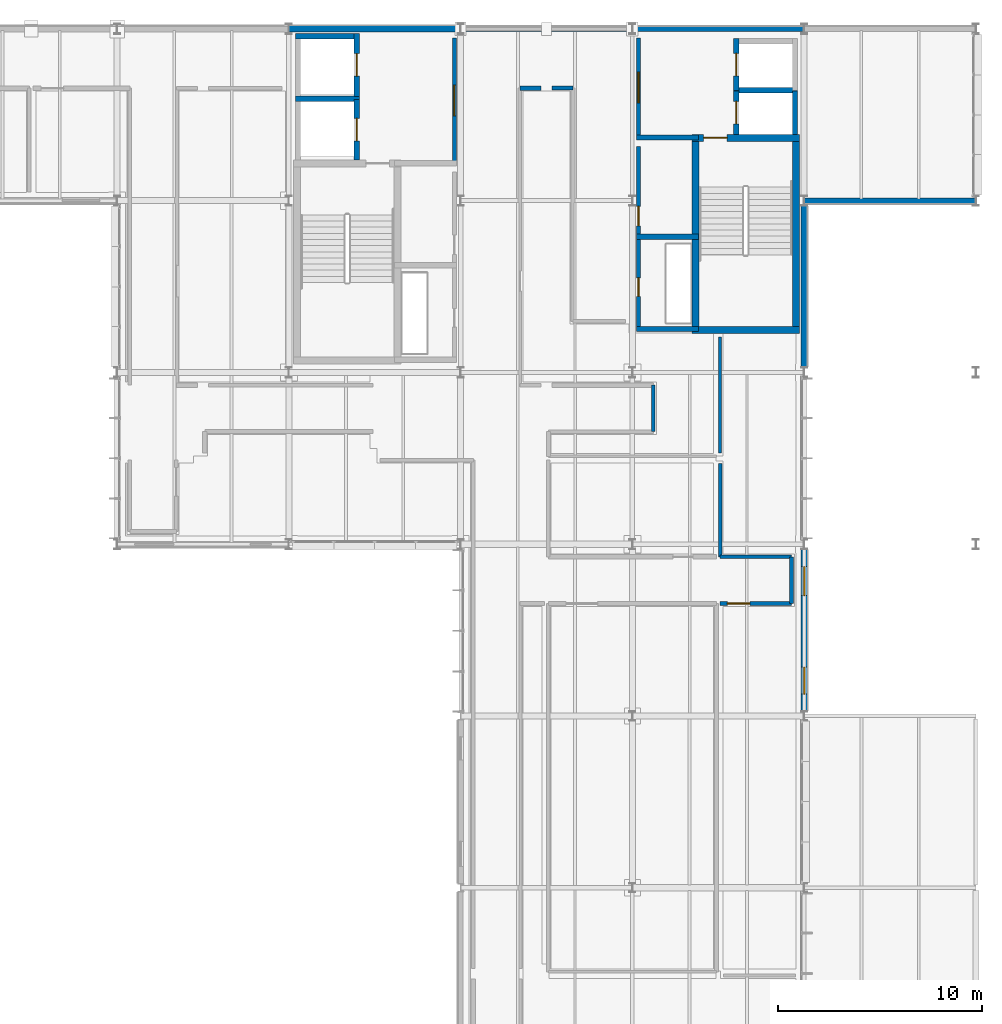
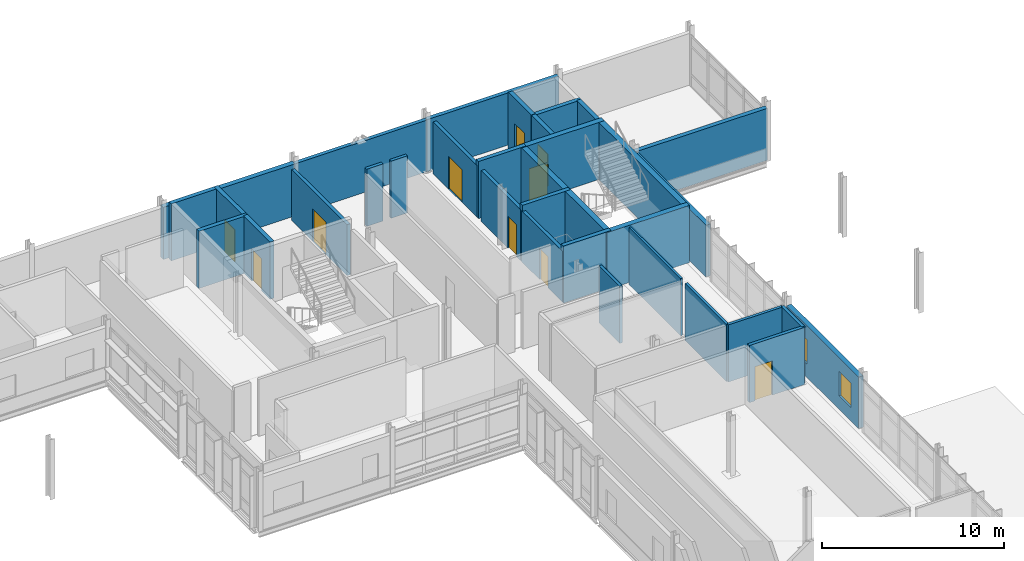
# One storey, part 131 of 151: 33 walls, 10 doors, 2 windows, 12 openings.
"""IFC4 building model written with IfcOpenShell, lengths in metres."""

from ifc_helpers import new_model, si_unit, direction, frame, frame_2d, origin, place, context, subcontext, project, spatial, rectangle, extrude, material, layer, layer_set, type_object, element, fill, save


model = new_model("IFC4")

# Units and contexts
model_context = context("Model", 3, precision=1e-05, world=origin(), true_north=direction((0.0, 1.0)))
body_context = subcontext(model_context, "Body", "Model", "MODEL_VIEW")
ifc_project = project(units=[si_unit("LENGTHUNIT", "METRE"), si_unit("AREAUNIT", "SQUARE_METRE"), si_unit("VOLUMEUNIT", "CUBIC_METRE"), si_unit("PLANEANGLEUNIT", "RADIAN"), si_unit("MASSUNIT", "GRAM", prefix="KILO")], contexts=[model_context])

# Site, building, storey
site_placement = place(None, origin())
site = spatial("IfcSite", under=ifc_project, at=site_placement, CompositionType="ELEMENT")
building_placement = place(site_placement, origin())
building = spatial("IfcBuilding", under=site, at=building_placement, Name="Mersafa Astral City Hall", CompositionType="ELEMENT")
storey_placement = place(building_placement, frame((0.0, 0.0, 9.89990234375)))
storey = spatial("IfcBuildingStorey", under=building, at=storey_placement, Name="L02", CompositionType="ELEMENT", Elevation=9.89990234375)

# Walls
ifc_material_1 = material(Name="Precast concrete C40/50 insulated terracotta spandrel", Category="masonry")
ifc_layer_1 = layer(ifc_material_1, 0.235107421875, Name="Precast concrete C40/50 insulated terracotta spandrel")
ifc_layer_set_1 = layer_set([ifc_layer_1], Name="Precast concrete C40/50 insulated terracotta spandrel — ENV-WAL-EXT-235")
wall_type_1 = type_object("IfcWallType", Name="ENV-WAL-EXT-235", PredefinedType="STANDARD", material=ifc_layer_set_1)
wall_1_placement = place(storey_placement, frame((167.991943359375, 126.0, 0.0), z_axis=(0.0, 0.0, 1.0), x_axis=(-1.0, 0.0, 0.0)))
element("IfcWall", 1, at=wall_1_placement, inside=storey, type_object=wall_type_1, Name="L02 Limestone-clad exterior wall 191", PredefinedType="STANDARD", context=body_context, shape_type="SweptSolid", body=[
    extrude(rectangle(XDim=8.384033203125, YDim=0.235107421875, at=frame_2d((4.19189453125, 0.0))), origin(), (0.0, 0.0, 1.0), 3.47216796875),
])
ifc_layer_2 = layer(ifc_material_1, 0.25, Name="Precast concrete C40/50 insulated terracotta spandrel")
ifc_layer_set_2 = layer_set([ifc_layer_2], Name="Precast concrete C40/50 insulated terracotta spandrel — ENV-WAL-EXT-250")
wall_type_2 = type_object("IfcWallType", Name="ENV-WAL-EXT-250", PredefinedType="STANDARD", material=ifc_layer_set_2)
wall_2_placement = place(storey_placement, frame((176.39208984375, 126.0, 0.0), z_axis=(0.0, 0.0, 1.0), x_axis=(-1.0, 0.0, 0.0)))
element("IfcWall", 2, at=wall_2_placement, inside=storey, type_object=wall_type_2, Name="L02 Limestone-clad exterior wall 190", PredefinedType="STANDARD", context=body_context, shape_type="SweptSolid", body=[
    extrude(rectangle(XDim=8.384033203125, YDim=0.25, at=frame_2d((4.19189453125, 0.0))), origin(), (0.0, 0.0, 1.0), 3.502197265625),
])
ifc_material_2 = material(Name="Precast concrete C40/50 insulated limestone wall", Category="masonry")
ifc_layer_3 = layer(ifc_material_2, 0.280029296875, Name="Precast concrete C40/50 insulated limestone wall")
ifc_layer_set_3 = layer_set([ifc_layer_3], Name="Precast concrete C40/50 insulated limestone wall — ENV-WAL-EXT-280")
wall_type_3 = type_object("IfcWallType", Name="ENV-WAL-EXT-280", PredefinedType="STANDARD", material=ifc_layer_set_3)
wall_3_placement = place(storey_placement, frame((176.407958984375, 117.60009765625, 0.0), z_axis=(0.0, 0.0, 1.0), x_axis=(1.0, 0.0, 0.0)))
element("IfcWall", 3, at=wall_3_placement, inside=storey, type_object=wall_type_3, Name="L02 Limestone-clad exterior wall 188", PredefinedType="STANDARD", context=body_context, shape_type="SweptSolid", body=[
    extrude(rectangle(XDim=8.384033203125, YDim=0.280029296875, at=frame_2d((4.19189453125, 0.0))), origin(), (0.0, 0.0, 1.0), 3.502197265625),
])
ifc_layer_4 = layer(ifc_material_2, 0.294921875, Name="Precast concrete C40/50 insulated limestone wall")
ifc_layer_set_4 = layer_set([ifc_layer_4], Name="Precast concrete C40/50 insulated limestone wall — ENV-WAL-EXT-295")
wall_type_4 = type_object("IfcWallType", Name="ENV-WAL-EXT-295", PredefinedType="STANDARD", material=ifc_layer_set_4)
wall_4_placement = place(storey_placement, frame((176.39990234375, 109.446044921875, 0.0), z_axis=(0.0, 0.0, 1.0), x_axis=(0.0, 1.0, 0.0)))
element("IfcWall", 4, at=wall_4_placement, inside=storey, type_object=wall_type_4, Name="L02 Limestone-clad exterior wall 187", PredefinedType="STANDARD", context=body_context, shape_type="SweptSolid", body=[
    extrude(rectangle(XDim=7.907958984375, YDim=0.294921875, at=frame_2d((3.9541015625, 0.0))), origin(), (0.0, 0.0, 1.0), 3.47216796875),
])

# Wall, openings, windows
ifc_layer_5 = layer(ifc_material_2, 0.31005859375, Name="Precast concrete C40/50 insulated limestone wall")
ifc_layer_set_5 = layer_set([ifc_layer_5], Name="Precast concrete C40/50 insulated limestone wall — ENV-WAL-EXT-310")
wall_type_5 = type_object("IfcWallType", Name="ENV-WAL-EXT-310", PredefinedType="STANDARD", material=ifc_layer_set_5)
wall_5_placement = place(storey_placement, frame((176.39990234375, 92.62109375, 0.0), z_axis=(0.0, 0.0, 1.0), x_axis=(0.0, 1.0, 0.0)))
wall_5 = element("IfcWall", 5, at=wall_5_placement, inside=storey, type_object=wall_type_5, Name="L02 Limestone-clad exterior wall 186", PredefinedType="STANDARD", context=body_context, shape_type="SweptSolid", body=[
    extrude(rectangle(XDim=7.932861328125, YDim=0.31005859375, at=frame_2d((3.96630859375, 0.0))), origin(), (0.0, 0.0, 1.0), 3.47216796875),
])
opening_1_placement = place(wall_5_placement, frame((0.85009765625, 0.0, 0.89990234375)))
opening_1 = element("IfcOpeningElement", 6, at=opening_1_placement, cuts=wall_5, Name="Opening W-34", PredefinedType="OPENING", context=body_context, shape_type="SweptSolid", body=[
    extrude(rectangle(XDim=1.320068359375, YDim=1.64990234375, at=frame_2d((0.66015625, 0.824951171875))), frame((0.0, 0.1650390625, 0.0), z_axis=(0.0, -1.0, 0.0), x_axis=(1.0, 0.0, 0.0)), (0.0, 0.0, 1.0), 0.330078125),
])
opening_2_placement = place(wall_5_placement, frame((5.6630859375, 0.0, 0.89990234375)))
opening_2 = element("IfcOpeningElement", 7, at=opening_2_placement, cuts=wall_5, Name="Opening W-35", PredefinedType="OPENING", context=body_context, shape_type="SweptSolid", body=[
    extrude(rectangle(XDim=1.419921875, YDim=1.64990234375, at=frame_2d((0.7099609375, 0.824951171875))), frame((0.0, 0.1650390625, 0.0), z_axis=(0.0, -1.0, 0.0), x_axis=(1.0, 0.0, 0.0)), (0.0, 0.0, 1.0), 0.330078125),
])
ifc_material_3 = material(Name="Solar control low-e double glazing in bronze frame", Category="glass")
window_type_1 = type_object("IfcWindowType", Name="ENV-WIN-W-34", PartitioningType="SINGLE_PANEL", PredefinedType="WINDOW", material=ifc_material_3)
window_1_placement = place(opening_1_placement, origin())
window_1 = element("IfcWindow", 8, at=window_1_placement, inside=storey, type_object=window_type_1, Name="L02 Solar punched window 186-L", OverallHeight=1.64990234375, OverallWidth=1.320068359375, PartitioningType="SINGLE_PANEL", PredefinedType="WINDOW", context=body_context, shape_type="SweptSolid", body=[
    extrude(rectangle(XDim=1.320068359375, YDim=1.64990234375, at=frame_2d((0.66015625, 0.824951171875))), frame((0.0, 0.030029296875, 0.0), z_axis=(0.0, -1.0, 0.0), x_axis=(1.0, 0.0, 0.0)), (0.0, 0.0, 1.0), 0.06005859375),
])
fill(opening_1, window_1)
window_type_2 = type_object("IfcWindowType", Name="ENV-WIN-W-35", PartitioningType="SINGLE_PANEL", PredefinedType="WINDOW", material=ifc_material_3)
window_2_placement = place(opening_2_placement, origin())
window_2 = element("IfcWindow", 9, at=window_2_placement, inside=storey, type_object=window_type_2, Name="L02 Solar punched window 186-R", OverallHeight=1.64990234375, OverallWidth=1.419921875, PartitioningType="SINGLE_PANEL", PredefinedType="WINDOW", context=body_context, shape_type="SweptSolid", body=[
    extrude(rectangle(XDim=1.419921875, YDim=1.64990234375, at=frame_2d((0.7099609375, 0.824951171875))), frame((0.0, 0.030029296875, 0.0), z_axis=(0.0, -1.0, 0.0), x_axis=(1.0, 0.0, 0.0)), (0.0, 0.0, 1.0), 0.06005859375),
])
fill(opening_2, window_2)

# Walls
wall_6_placement = place(storey_placement, frame((159.592041015625, 126.0, 0.0), z_axis=(0.0, 0.0, 1.0), x_axis=(-1.0, 0.0, 0.0)))
element("IfcWall", 10, at=wall_6_placement, inside=storey, type_object=wall_type_5, Name="L02 Limestone-clad exterior wall 192", PredefinedType="STANDARD", context=body_context, shape_type="SweptSolid", body=[
    extrude(rectangle(XDim=8.384033203125, YDim=0.31005859375, at=frame_2d((4.19189453125, 0.0))), origin(), (0.0, 0.0, 1.0), 3.502197265625),
])
ifc_material_4 = material(Name="Concrete C40/50", Category="concrete")
ifc_layer_6 = layer(ifc_material_4, 0.260009765625, Name="Concrete C40/50")
ifc_layer_set_6 = layer_set([ifc_layer_6], Name="Concrete C40/50 — INT-WAL-CORE-260")
wall_type_6 = type_object("IfcWallType", Name="INT-WAL-CORE-260", PredefinedType="SHEAR", material=ifc_layer_set_6)
wall_7_placement = place(storey_placement, frame((151.514892578125, 122.5849609375, 0.0), z_axis=(0.0, 0.0, 1.0), x_axis=(1.0, 0.0, 0.0)))
element("IfcWall", 11, at=wall_7_placement, inside=storey, type_object=wall_type_6, Name="L02 Lift LF1 north shaft wall", PredefinedType="SHEAR", context=body_context, shape_type="SweptSolid", body=[
    extrude(rectangle(XDim=3.130126953125, YDim=0.260009765625, at=frame_2d((1.56494140625, 0.0))), origin(), (0.0, 0.0, 1.0), 3.840087890625),
])

# Wall, opening, door
wall_8_placement = place(storey_placement, frame((154.514892578125, 119.596923828125, 0.0), z_axis=(0.0, 0.0, 1.0), x_axis=(0.0, 1.0, 0.0)))
wall_8 = element("IfcWall", 12, at=wall_8_placement, inside=storey, type_object=wall_type_6, Name="L02 Lift LF1 front shaft wall", PredefinedType="SHEAR", context=body_context, shape_type="SweptSolid", body=[
    extrude(rectangle(XDim=2.947998046875, YDim=0.260009765625, at=frame_2d((1.47412109375, 0.0))), origin(), (0.0, 0.0, 1.0), 3.840087890625),
])
opening_3_placement = place(wall_8_placement, frame((0.924072265625, 0.0, 0.0)))
opening_3 = element("IfcOpeningElement", 13, at=opening_3_placement, cuts=wall_8, Name="Opening LD-1", PredefinedType="OPENING", context=body_context, shape_type="SweptSolid", body=[
    extrude(rectangle(XDim=1.10009765625, YDim=2.14990234375, at=frame_2d((0.550048828125, 1.074951171875))), frame((0.0, 0.139892578125, 0.0), z_axis=(0.0, -1.0, 0.0), x_axis=(1.0, 0.0, 0.0)), (0.0, 0.0, 1.0), 0.280029296875),
])
ifc_material_5 = material(Name="Stainless steel sliding lift landing door", Category="steel")
door_type_1 = type_object("IfcDoorType", Name="INT-DR-LIFT-LD1", OperationType="NOTDEFINED", PredefinedType="DOOR", material=ifc_material_5)
door_1_placement = place(opening_3_placement, origin())
door_1 = element("IfcDoor", 14, at=door_1_placement, inside=storey, type_object=door_type_1, Name="Elevator LF1 Sliding Landing Door L02", OperationType="DOUBLE_DOOR_SLIDING", OverallHeight=2.14990234375, OverallWidth=1.10009765625, PredefinedType="DOOR", context=body_context, shape_type="SweptSolid", body=[
    extrude(rectangle(XDim=1.10009765625, YDim=2.14990234375, at=frame_2d((0.550048828125, 1.074951171875))), frame((0.0, 0.02490234375, 0.0), z_axis=(0.0, -1.0, 0.0), x_axis=(1.0, 0.0, 0.0)), (0.0, 0.0, 1.0), 0.050048828125),
])
fill(opening_3, door_1)

# Wall
wall_9_placement = place(storey_placement, frame((151.514892578125, 125.635009765625, 0.0), z_axis=(0.0, 0.0, 1.0), x_axis=(1.0, 0.0, 0.0)))
element("IfcWall", 15, at=wall_9_placement, inside=storey, type_object=wall_type_6, Name="L02 Lift LF3 north shaft wall", PredefinedType="SHEAR", context=body_context, shape_type="SweptSolid", body=[
    extrude(rectangle(XDim=3.130126953125, YDim=0.260009765625, at=frame_2d((1.56494140625, 0.0))), origin(), (0.0, 0.0, 1.0), 3.840087890625),
])

# Wall, opening, door
wall_10_placement = place(storey_placement, frame((154.514892578125, 122.705078125, 0.0), z_axis=(0.0, 0.0, 1.0), x_axis=(0.0, 1.0, 0.0)))
wall_10 = element("IfcWall", 16, at=wall_10_placement, inside=storey, type_object=wall_type_6, Name="L02 Lift LF3 front shaft wall", PredefinedType="SHEAR", context=body_context, shape_type="SweptSolid", body=[
    extrude(rectangle(XDim=3.059814453125, YDim=0.260009765625, at=frame_2d((1.52978515625, 0.0))), origin(), (0.0, 0.0, 1.0), 3.840087890625),
])
opening_4_placement = place(wall_10_placement, frame((0.97998046875, 0.0, 0.0)))
opening_4 = element("IfcOpeningElement", 17, at=opening_4_placement, cuts=wall_10, Name="Opening LD-1", PredefinedType="OPENING", context=body_context, shape_type="SweptSolid", body=[
    extrude(rectangle(XDim=1.10009765625, YDim=2.14990234375, at=frame_2d((0.550048828125, 1.074951171875))), frame((0.0, 0.139892578125, 0.0), z_axis=(0.0, -1.0, 0.0), x_axis=(1.0, 0.0, 0.0)), (0.0, 0.0, 1.0), 0.280029296875),
])
door_2_placement = place(opening_4_placement, origin())
door_2 = element("IfcDoor", 18, at=door_2_placement, inside=storey, type_object=door_type_1, Name="Elevator LF3 Sliding Landing Door L02", OperationType="DOUBLE_DOOR_SLIDING", OverallHeight=2.14990234375, OverallWidth=1.10009765625, PredefinedType="DOOR", context=body_context, shape_type="SweptSolid", body=[
    extrude(rectangle(XDim=1.10009765625, YDim=2.14990234375, at=frame_2d((0.550048828125, 1.074951171875))), frame((0.0, 0.02490234375, 0.0), z_axis=(0.0, -1.0, 0.0), x_axis=(1.0, 0.0, 0.0)), (0.0, 0.0, 1.0), 0.050048828125),
])
fill(opening_4, door_2)

# Walls
wall_11_placement = place(storey_placement, frame((172.955078125, 122.9951171875, 0.0), z_axis=(0.0, 0.0, 1.0), x_axis=(1.0, 0.0, 0.0)))
element("IfcWall", 19, at=wall_11_placement, inside=storey, type_object=wall_type_6, Name="L02 Lift LF2 north shaft wall", PredefinedType="SHEAR", context=body_context, shape_type="SweptSolid", body=[
    extrude(rectangle(XDim=3.1298828125, YDim=0.260009765625, at=frame_2d((1.56494140625, 0.0))), origin(), (0.0, 0.0, 1.0), 3.840087890625),
])
wall_12_placement = place(storey_placement, frame((175.955078125, 120.846923828125, 0.0), z_axis=(0.0, 0.0, 1.0), x_axis=(0.0, 1.0, 0.0)))
element("IfcWall", 20, at=wall_12_placement, inside=storey, type_object=wall_type_6, Name="L02 Lift LF2 back shaft wall", PredefinedType="SHEAR", context=body_context, shape_type="SweptSolid", body=[
    extrude(rectangle(XDim=2.108154296875, YDim=0.260009765625, at=frame_2d((1.05419921875, 0.0))), origin(), (0.0, 0.0, 1.0), 3.840087890625),
])

# Wall, opening, door
wall_13_placement = place(storey_placement, frame((173.0849609375, 120.846923828125, 0.0), z_axis=(0.0, 0.0, 1.0), x_axis=(0.0, 1.0, 0.0)))
wall_13 = element("IfcWall", 21, at=wall_13_placement, inside=storey, type_object=wall_type_6, Name="L02 Lift LF2 front shaft wall", PredefinedType="SHEAR", context=body_context, shape_type="SweptSolid", body=[
    extrude(rectangle(XDim=2.108154296875, YDim=0.260009765625, at=frame_2d((1.05419921875, 0.0))), origin(), (0.0, 0.0, 1.0), 3.840087890625),
])
opening_5_placement = place(wall_13_placement, frame((0.50390625, 0.0, 0.0)))
opening_5 = element("IfcOpeningElement", 22, at=opening_5_placement, cuts=wall_13, Name="Opening LD-1", PredefinedType="OPENING", context=body_context, shape_type="SweptSolid", body=[
    extrude(rectangle(XDim=1.10009765625, YDim=2.14990234375, at=frame_2d((0.550048828125, 1.074951171875))), frame((0.0, 0.139892578125, 0.0), z_axis=(0.0, -1.0, 0.0), x_axis=(1.0, 0.0, 0.0)), (0.0, 0.0, 1.0), 0.280029296875),
])
door_3_placement = place(opening_5_placement, origin())
door_3 = element("IfcDoor", 23, at=door_3_placement, inside=storey, type_object=door_type_1, Name="Elevator LF2 Sliding Landing Door L02", OperationType="DOUBLE_DOOR_SLIDING", OverallHeight=2.14990234375, OverallWidth=1.10009765625, PredefinedType="DOOR", context=body_context, shape_type="SweptSolid", body=[
    extrude(rectangle(XDim=1.10009765625, YDim=2.14990234375, at=frame_2d((0.550048828125, 1.074951171875))), frame((0.0, 0.02490234375, 0.0), z_axis=(0.0, -1.0, 0.0), x_axis=(1.0, 0.0, 0.0)), (0.0, 0.0, 1.0), 0.050048828125),
])
fill(opening_5, door_3)

wall_14_placement = place(storey_placement, frame((173.0849609375, 122.985107421875, 0.0), z_axis=(0.0, 0.0, 1.0), x_axis=(0.0, 1.0, 0.0)))
wall_14 = element("IfcWall", 24, at=wall_14_placement, inside=storey, type_object=wall_type_6, Name="L02 Lift LF4 front shaft wall", PredefinedType="SHEAR", context=body_context, shape_type="SweptSolid", body=[
    extrude(rectangle(XDim=2.539794921875, YDim=0.260009765625, at=frame_2d((1.27001953125, 0.0))), origin(), (0.0, 0.0, 1.0), 3.840087890625),
])
opening_6_placement = place(wall_14_placement, frame((0.719970703125, 0.0, 0.0)))
opening_6 = element("IfcOpeningElement", 25, at=opening_6_placement, cuts=wall_14, Name="Opening LD-1", PredefinedType="OPENING", context=body_context, shape_type="SweptSolid", body=[
    extrude(rectangle(XDim=1.10009765625, YDim=2.14990234375, at=frame_2d((0.550048828125, 1.074951171875))), frame((0.0, 0.139892578125, 0.0), z_axis=(0.0, -1.0, 0.0), x_axis=(1.0, 0.0, 0.0)), (0.0, 0.0, 1.0), 0.280029296875),
])
door_4_placement = place(opening_6_placement, origin())
door_4 = element("IfcDoor", 26, at=door_4_placement, inside=storey, type_object=door_type_1, Name="Elevator LF4 Sliding Landing Door L02", OperationType="DOUBLE_DOOR_SLIDING", OverallHeight=2.14990234375, OverallWidth=1.10009765625, PredefinedType="DOOR", context=body_context, shape_type="SweptSolid", body=[
    extrude(rectangle(XDim=1.10009765625, YDim=2.14990234375, at=frame_2d((0.550048828125, 1.074951171875))), frame((0.0, 0.02490234375, 0.0), z_axis=(0.0, -1.0, 0.0), x_axis=(1.0, 0.0, 0.0)), (0.0, 0.0, 1.0), 0.050048828125),
])
fill(opening_6, door_4)

# Walls
for number, where, z_axis, x_axis, name in (
    (27, (168.199951171875, 111.320068359375, 0.0), (0.0, 0.0, 1.0), (1.0, 0.0, 0.0), "L02 Core K2 riser south wall"),
    (28, (168.199951171875, 115.8349609375, 0.0), (0.0, 0.0, 1.0), (1.0, 0.0, 0.0), "L02 Core K2 riser-restroom divider wall"),
    (29, (168.199951171875, 120.68994140625, 0.0), (0.0, 0.0, 1.0), (1.0, 0.0, 0.0), "L02 Core K2 restroom-lobby divider wall"),
):
    element("IfcWall", number, at=place(storey_placement, frame(where, z_axis=z_axis, x_axis=x_axis)), inside=storey, type_object=wall_type_6, Name=name, PredefinedType="SHEAR", context=body_context, shape_type="SweptSolid", body=[
        extrude(rectangle(XDim=3.03515625, YDim=0.260009765625, at=frame_2d((1.517578125, 0.0))), origin(), (0.0, 0.0, 1.0), 3.840087890625),
    ])
ifc_layer_7 = layer(ifc_material_4, 0.340087890625, Name="Concrete C40/50")
ifc_layer_set_7 = layer_set([ifc_layer_7], Name="Concrete C40/50 — INT-WAL-CORE-340")
wall_type_7 = type_object("IfcWallType", Name="INT-WAL-CORE-340", PredefinedType="SHEAR", material=ifc_layer_set_7)
for number, where, z_axis, x_axis, name in (
    (30, (171.0849609375, 111.10498046875, 0.0), (0.0, 0.0, 1.0), (0.0, 1.0, 0.0), "L02 Core K2 stair west shear wall"),
    (31, (175.9951171875, 111.10498046875, 0.0), (0.0, 0.0, 1.0), (0.0, 1.0, 0.0), "L02 Core K2 stair east shear wall"),
):
    element("IfcWall", number, at=place(storey_placement, frame(where, z_axis=z_axis, x_axis=x_axis)), inside=storey, type_object=wall_type_7, Name=name, PredefinedType="SHEAR", context=body_context, shape_type="SweptSolid", body=[
        extrude(rectangle(XDim=9.739990234375, YDim=0.340087890625, at=frame_2d((4.8701171875, 0.0))), origin(), (0.0, 0.0, 1.0), 3.840087890625),
    ])
wall_15_placement = place(storey_placement, frame((170.9150390625, 111.27490234375, 0.0), z_axis=(0.0, 0.0, 1.0), x_axis=(1.0, 0.0, 0.0)))
element("IfcWall", 32, at=wall_15_placement, inside=storey, type_object=wall_type_7, Name="L02 Core K2 stair south shear wall", PredefinedType="SHEAR", context=body_context, shape_type="SweptSolid", body=[
    extrude(rectangle(XDim=5.25, YDim=0.340087890625, at=frame_2d((2.625, 0.0))), origin(), (0.0, 0.0, 1.0), 3.840087890625),
])

# Wall, opening, door
wall_16_placement = place(storey_placement, frame((170.9150390625, 120.675048828125, 0.0), z_axis=(0.0, 0.0, 1.0), x_axis=(1.0, 0.0, 0.0)))
wall_16 = element("IfcWall", 33, at=wall_16_placement, inside=storey, type_object=wall_type_7, Name="L02 Core K2 stair-lobby fire wall", PredefinedType="SHEAR", context=body_context, shape_type="SweptSolid", body=[
    extrude(rectangle(XDim=5.25, YDim=0.340087890625, at=frame_2d((2.625, 0.0))), origin(), (0.0, 0.0, 1.0), 3.840087890625),
])
opening_7_placement = place(wall_16_placement, frame((0.56494140625, 0.0, 0.0)))
opening_7 = element("IfcOpeningElement", 34, at=opening_7_placement, cuts=wall_16, Name="Opening CD-1", PredefinedType="OPENING", context=body_context, shape_type="SweptSolid", body=[
    extrude(rectangle(XDim=1.14990234375, YDim=2.14990234375, at=frame_2d((0.574951171875, 1.074951171875))), frame((0.0, 0.179931640625, 0.0), z_axis=(0.0, -1.0, 0.0), x_axis=(1.0, 0.0, 0.0)), (0.0, 0.0, 1.0), 0.360107421875),
])
ifc_material_6 = material(Name="Fire-rated steel stair door", Category="steel")
door_type_2 = type_object("IfcDoorType", Name="INT-DR-STAIR-FD90-1150", OperationType="NOTDEFINED", PredefinedType="DOOR", material=ifc_material_6)
door_5_placement = place(opening_7_placement, origin())
door_5 = element("IfcDoor", 35, at=door_5_placement, inside=storey, type_object=door_type_2, Name="L02 Protected Stair ST2 Door", OperationType="SINGLE_SWING_LEFT", OverallHeight=2.14990234375, OverallWidth=1.14990234375, PredefinedType="DOOR", context=body_context, shape_type="SweptSolid", body=[
    extrude(rectangle(XDim=1.14990234375, YDim=2.14990234375, at=frame_2d((0.574951171875, 1.074951171875))), frame((0.0, 0.02490234375, 0.0), z_axis=(0.0, -1.0, 0.0), x_axis=(1.0, 0.0, 0.0)), (0.0, 0.0, 1.0), 0.050048828125),
])
fill(opening_7, door_5)

# Walls
ifc_material_7 = material(Name="Acoustic steel-stud gypsum partition", Category="steel")
ifc_layer_8 = layer(ifc_material_7, 0.135009765625, Name="Acoustic steel-stud gypsum partition")
ifc_layer_set_8 = layer_set([ifc_layer_8], Name="Acoustic steel-stud gypsum partition — INT-WAL-PART-EI30-135")
wall_type_8 = type_object("IfcWallType", Name="INT-WAL-PART-EI30-135", PredefinedType="STANDARD", material=ifc_layer_set_8)
wall_17_placement = place(storey_placement, frame((172.2900390625, 105.260009765625, -0.00390625), z_axis=(0.0, 0.0, 1.0), x_axis=(0.0, 1.0, 0.0)))
element("IfcWall", 36, at=wall_17_placement, inside=storey, type_object=wall_type_8, Name="L02 Interior partition wall 448", PredefinedType="STANDARD", context=body_context, shape_type="SweptSolid", body=[
    extrude(rectangle(XDim=5.679931640625, YDim=0.135009765625, at=frame_2d((2.83984375, 0.0))), origin(), (0.0, 0.0, 1.0), 3.843994140625),
])
ifc_material_8 = material(Name="Fire-rated gypsum stud partition", Category="gypsum")
ifc_layer_9 = layer(ifc_material_8, 0.1650390625, Name="Fire-rated gypsum stud partition")
ifc_layer_set_9 = layer_set([ifc_layer_9], Name="Fire-rated gypsum stud partition — INT-WAL-PART-EI60-165")
wall_type_9 = type_object("IfcWallType", Name="INT-WAL-PART-EI60-165", PredefinedType="STANDARD", material=ifc_layer_set_9)
wall_18_placement = place(storey_placement, frame((172.2900390625, 100.179931640625, -0.00390625), z_axis=(0.0, 0.0, 1.0), x_axis=(0.0, 1.0, 0.0)))
element("IfcWall", 37, at=wall_18_placement, inside=storey, type_object=wall_type_9, Name="L02 Interior partition wall 447", PredefinedType="STANDARD", context=body_context, shape_type="SweptSolid", body=[
    extrude(rectangle(XDim=4.56005859375, YDim=0.1650390625, at=frame_2d((2.280029296875, 0.0))), origin(), (0.0, 0.0, 1.0), 3.843994140625),
])
wall_19_placement = place(storey_placement, frame((169.030029296875, 106.300048828125, -0.00390625), z_axis=(0.0, 0.0, 1.0), x_axis=(0.0, 1.0, 0.0)))
element("IfcWall", 38, at=wall_19_placement, inside=storey, type_object=wall_type_9, Name="L02 Interior partition wall 479", PredefinedType="STANDARD", context=body_context, shape_type="SweptSolid", body=[
    extrude(rectangle(XDim=2.280029296875, YDim=0.1650390625, at=frame_2d((1.14013671875, 0.0))), origin(), (0.0, 0.0, 1.0), 3.843994140625),
])
ifc_material_9 = material(Name="Acoustic twin-stud gypsum partition", Category="gypsum")
ifc_layer_10 = layer(ifc_material_9, 0.179931640625, Name="Acoustic twin-stud gypsum partition")
ifc_layer_set_10 = layer_set([ifc_layer_10], Name="Acoustic twin-stud gypsum partition — INT-WAL-PART-EI60-180")
wall_type_10 = type_object("IfcWallType", Name="INT-WAL-PART-EI60-180", PredefinedType="STANDARD", material=ifc_layer_set_10)
wall_20_placement = place(storey_placement, frame((175.780029296875, 100.179931640625, -0.00390625), z_axis=(0.0, 0.0, 1.0), x_axis=(-1.0, 0.0, 0.0)))
element("IfcWall", 39, at=wall_20_placement, inside=storey, type_object=wall_type_10, Name="L02 Interior partition wall 446", PredefinedType="STANDARD", context=body_context, shape_type="SweptSolid", body=[
    extrude(rectangle(XDim=3.489990234375, YDim=0.179931640625, at=frame_2d((1.7451171875, 0.0))), origin(), (0.0, 0.0, 1.0), 3.843994140625),
])
ifc_layer_11 = layer(ifc_material_9, 0.195068359375, Name="Acoustic twin-stud gypsum partition")
ifc_layer_set_11 = layer_set([ifc_layer_11], Name="Acoustic twin-stud gypsum partition — INT-WAL-PART-EI60-195")
wall_type_11 = type_object("IfcWallType", Name="INT-WAL-PART-EI60-195", PredefinedType="STANDARD", material=ifc_layer_set_11)
wall_21_placement = place(storey_placement, frame((175.780029296875, 97.89990234375, -0.00390625), z_axis=(0.0, 0.0, 1.0), x_axis=(0.0, 1.0, 0.0)))
element("IfcWall", 40, at=wall_21_placement, inside=storey, type_object=wall_type_11, Name="L02 Interior partition wall 445", PredefinedType="STANDARD", context=body_context, shape_type="SweptSolid", body=[
    extrude(rectangle(XDim=2.280029296875, YDim=0.195068359375, at=frame_2d((1.14013671875, 0.0))), origin(), (0.0, 0.0, 1.0), 3.843994140625),
])
wall_22_placement = place(storey_placement, frame((164.06005859375, 123.10009765625, -0.00390625), z_axis=(0.0, 0.0, 1.0), x_axis=(1.0, 0.0, 0.0)))
element("IfcWall", 41, at=wall_22_placement, inside=storey, type_object=wall_type_11, Name="L02 Interior partition wall 473", PredefinedType="STANDARD", context=body_context, shape_type="SweptSolid", body=[
    extrude(rectangle(XDim=1.0400390625, YDim=0.195068359375, at=frame_2d((0.52001953125, 0.0))), origin(), (0.0, 0.0, 1.0), 3.843994140625),
])

# Wall, opening, door
ifc_material_10 = material(Name="Autoclaved aerated concrete blockwork plastered", Category="masonry")
ifc_layer_12 = layer(ifc_material_10, 0.2099609375, Name="Autoclaved aerated concrete blockwork plastered")
ifc_layer_set_12 = layer_set([ifc_layer_12], Name="Autoclaved aerated concrete blockwork plastered — INT-WAL-PART-EI60-210")
wall_type_12 = type_object("IfcWallType", Name="INT-WAL-PART-EI60-210", PredefinedType="STANDARD", material=ifc_layer_set_12)
wall_23_placement = place(storey_placement, frame((159.300048828125, 119.43994140625, 0.0), z_axis=(0.0, 0.0, 1.0), x_axis=(0.0, 1.0, 0.0)))
wall_23 = element("IfcWall", 42, at=wall_23_placement, inside=storey, type_object=wall_type_12, Name="L02 Core K1 lobby corridor partition", PredefinedType="STANDARD", context=body_context, shape_type="SweptSolid", body=[
    extrude(rectangle(XDim=6.1201171875, YDim=0.2099609375, at=frame_2d((3.06005859375, 0.0))), origin(), (0.0, 0.0, 1.0), 3.43212890625),
])
opening_8_placement = place(wall_23_placement, frame((2.31005859375, 0.0, 0.0)))
opening_8 = element("IfcOpeningElement", 43, at=opening_8_placement, cuts=wall_23, Name="Opening CD-3", PredefinedType="OPENING", context=body_context, shape_type="SweptSolid", body=[
    extrude(rectangle(XDim=1.5, YDim=2.199951171875, at=frame_2d((0.75, 1.10009765625))), frame((0.0, 0.114990234375, 0.0), z_axis=(0.0, -1.0, 0.0), x_axis=(1.0, 0.0, 0.0)), (0.0, 0.0, 1.0), 0.22998046875),
])
ifc_material_11 = material(Name="Fire-rated glazed lobby door pair", Category="metal")
door_type_3 = type_object("IfcDoorType", Name="INT-DR-LOBBY-FD90-1500", OperationType="NOTDEFINED", PredefinedType="DOOR", material=ifc_material_11)
door_6_placement = place(opening_8_placement, origin())
door_6 = element("IfcDoor", 44, at=door_6_placement, inside=storey, type_object=door_type_3, Name="L02 K1 Lift Lobby Fire Door", OperationType="DOUBLE_DOOR_SINGLE_SWING", OverallHeight=2.199951171875, OverallWidth=1.5, PredefinedType="DOOR", context=body_context, shape_type="SweptSolid", body=[
    extrude(rectangle(XDim=1.5, YDim=2.199951171875, at=frame_2d((0.75, 1.10009765625))), frame((0.0, 0.02490234375, 0.0), z_axis=(0.0, -1.0, 0.0), x_axis=(1.0, 0.0, 0.0)), (0.0, 0.0, 1.0), 0.050048828125),
])
fill(opening_8, door_6)

wall_24_placement = place(storey_placement, frame((168.300048828125, 111.320068359375, 0.0), z_axis=(0.0, 0.0, 1.0), x_axis=(0.0, 1.0, 0.0)))
wall_24 = element("IfcWall", 45, at=wall_24_placement, inside=storey, type_object=wall_type_12, Name="L02 Core K2 riser corridor partition", PredefinedType="STANDARD", context=body_context, shape_type="SweptSolid", body=[
    extrude(rectangle(XDim=4.489990234375, YDim=0.2099609375, at=frame_2d((2.2451171875, 0.0))), origin(), (0.0, 0.0, 1.0), 3.43212890625),
])
opening_9_placement = place(wall_24_placement, frame((1.60009765625, 0.0, 0.0)))
opening_9 = element("IfcOpeningElement", 46, at=opening_9_placement, cuts=wall_24, Name="Opening CD-5", PredefinedType="OPENING", context=body_context, shape_type="SweptSolid", body=[
    extrude(rectangle(XDim=0.89990234375, YDim=2.10009765625, at=frame_2d((0.449951171875, 1.050048828125))), frame((0.0, 0.114990234375, 0.0), z_axis=(0.0, -1.0, 0.0), x_axis=(1.0, 0.0, 0.0)), (0.0, 0.0, 1.0), 0.22998046875),
])
ifc_material_12 = material(Name="Fire-rated steel riser access door", Category="steel")
door_type_4 = type_object("IfcDoorType", Name="INT-DR-RISER-FD60-900", OperationType="NOTDEFINED", PredefinedType="DOOR", material=ifc_material_12)
door_7_placement = place(opening_9_placement, origin())
door_7 = element("IfcDoor", 47, at=door_7_placement, inside=storey, type_object=door_type_4, Name="L02 K2 MEP Riser Access Door", OperationType="SINGLE_SWING_LEFT", OverallHeight=2.10009765625, OverallWidth=0.89990234375, PredefinedType="DOOR", context=body_context, shape_type="SweptSolid", body=[
    extrude(rectangle(XDim=0.89990234375, YDim=2.10009765625, at=frame_2d((0.449951171875, 1.050048828125))), frame((0.0, 0.02490234375, 0.0), z_axis=(0.0, -1.0, 0.0), x_axis=(1.0, 0.0, 0.0)), (0.0, 0.0, 1.0), 0.050048828125),
])
fill(opening_9, door_7)

wall_25_placement = place(storey_placement, frame((168.300048828125, 115.919921875, 0.0), z_axis=(0.0, 0.0, 1.0), x_axis=(0.0, 1.0, 0.0)))
wall_25 = element("IfcWall", 48, at=wall_25_placement, inside=storey, type_object=wall_type_12, Name="L02 Core K2 accessible WC corridor partition", PredefinedType="STANDARD", context=body_context, shape_type="SweptSolid", body=[
    extrude(rectangle(XDim=4.330078125, YDim=0.2099609375, at=frame_2d((2.1650390625, 0.0))), origin(), (0.0, 0.0, 1.0), 3.43212890625),
])
opening_10_placement = place(wall_25_placement, frame((0.449951171875, 0.0, 0.0)))
opening_10 = element("IfcOpeningElement", 49, at=opening_10_placement, cuts=wall_25, Name="Opening CD-4", PredefinedType="OPENING", context=body_context, shape_type="SweptSolid", body=[
    extrude(rectangle(XDim=0.949951171875, YDim=2.14990234375, at=frame_2d((0.47509765625, 1.074951171875))), frame((0.0, 0.114990234375, 0.0), z_axis=(0.0, -1.0, 0.0), x_axis=(1.0, 0.0, 0.0)), (0.0, 0.0, 1.0), 0.22998046875),
])
ifc_material_13 = material(Name="Accessible timber acoustic WC door", Category="wood")
door_type_5 = type_object("IfcDoorType", Name="INT-DR-WC-FD30-950", OperationType="NOTDEFINED", PredefinedType="DOOR", material=ifc_material_13)
door_8_placement = place(opening_10_placement, origin())
door_8 = element("IfcDoor", 50, at=door_8_placement, inside=storey, type_object=door_type_5, Name="L02 K2 Accessible Restroom Door", OperationType="SINGLE_SWING_RIGHT", OverallHeight=2.14990234375, OverallWidth=0.949951171875, PredefinedType="DOOR", context=body_context, shape_type="SweptSolid", body=[
    extrude(rectangle(XDim=0.949951171875, YDim=2.14990234375, at=frame_2d((0.47509765625, 1.074951171875))), frame((0.0, 0.02490234375, 0.0), z_axis=(0.0, -1.0, 0.0), x_axis=(1.0, 0.0, 0.0)), (0.0, 0.0, 1.0), 0.050048828125),
])
fill(opening_10, door_8)

wall_26_placement = place(storey_placement, frame((168.300048828125, 120.699951171875, 0.0), z_axis=(0.0, 0.0, 1.0), x_axis=(0.0, 1.0, 0.0)))
wall_26 = element("IfcWall", 51, at=wall_26_placement, inside=storey, type_object=wall_type_12, Name="L02 Core K2 lobby corridor partition", PredefinedType="STANDARD", context=body_context, shape_type="SweptSolid", body=[
    extrude(rectangle(XDim=4.860107421875, YDim=0.2099609375, at=frame_2d((2.43017578125, 0.0))), origin(), (0.0, 0.0, 1.0), 3.482177734375),
])
opening_11_placement = place(wall_26_placement, frame((1.679931640625, 0.0, 0.0)))
opening_11 = element("IfcOpeningElement", 52, at=opening_11_placement, cuts=wall_26, Name="Opening CD-3", PredefinedType="OPENING", context=body_context, shape_type="SweptSolid", body=[
    extrude(rectangle(XDim=1.5, YDim=2.199951171875, at=frame_2d((0.75, 1.10009765625))), frame((0.0, 0.114990234375, 0.0), z_axis=(0.0, -1.0, 0.0), x_axis=(1.0, 0.0, 0.0)), (0.0, 0.0, 1.0), 0.22998046875),
])
door_9_placement = place(opening_11_placement, origin())
door_9 = element("IfcDoor", 53, at=door_9_placement, inside=storey, type_object=door_type_3, Name="L02 K2 Lift Lobby Fire Door", OperationType="DOUBLE_DOOR_SINGLE_SWING", OverallHeight=2.199951171875, OverallWidth=1.5, PredefinedType="DOOR", context=body_context, shape_type="SweptSolid", body=[
    extrude(rectangle(XDim=1.5, YDim=2.199951171875, at=frame_2d((0.75, 1.10009765625))), frame((0.0, 0.02490234375, 0.0), z_axis=(0.0, -1.0, 0.0), x_axis=(1.0, 0.0, 0.0)), (0.0, 0.0, 1.0), 0.050048828125),
])
fill(opening_11, door_9)

wall_27_placement = place(storey_placement, frame((172.2900390625, 97.89990234375, -0.00390625), z_axis=(0.0, 0.0, 1.0), x_axis=(1.0, 0.0, 0.0)))
wall_27 = element("IfcWall", 54, at=wall_27_placement, inside=storey, type_object=wall_type_12, Name="L02 Interior partition wall 444", PredefinedType="STANDARD", context=body_context, shape_type="SweptSolid", body=[
    extrude(rectangle(XDim=3.489990234375, YDim=0.2099609375, at=frame_2d((1.7451171875, 0.0))), origin(), (0.0, 0.0, 1.0), 3.843994140625),
])
opening_12_placement = place(wall_27_placement, frame((0.360107421875, 0.0, 0.0)))
opening_12 = element("IfcOpeningElement", 55, at=opening_12_placement, cuts=wall_27, Name="Opening D-31", PredefinedType="OPENING", context=body_context, shape_type="SweptSolid", body=[
    extrude(rectangle(XDim=1.10009765625, YDim=2.300048828125, at=frame_2d((0.550048828125, 1.14990234375))), frame((0.0, 0.114990234375, 0.0), z_axis=(0.0, -1.0, 0.0), x_axis=(1.0, 0.0, 0.0)), (0.0, 0.0, 1.0), 0.22998046875),
])
ifc_material_14 = material(Name="Cedar veneered acoustic fire-rated timber door", Category="wood")
door_type_6 = type_object("IfcDoorType", Name="INT-DR-RM-D-31", OperationType="NOTDEFINED", PredefinedType="DOOR", material=ifc_material_14)
door_10_placement = place(opening_12_placement, origin())
door_10 = element("IfcDoor", 56, at=door_10_placement, inside=storey, type_object=door_type_6, Name="L02 Civic Model Exhibition Room L02-09 Entrance Door", OperationType="SINGLE_SWING_LEFT", OverallHeight=2.300048828125, OverallWidth=1.10009765625, PredefinedType="DOOR", context=body_context, shape_type="SweptSolid", body=[
    extrude(rectangle(XDim=1.10009765625, YDim=2.300048828125, at=frame_2d((0.550048828125, 1.14990234375))), frame((0.0, 0.02490234375, 0.0), z_axis=(0.0, -1.0, 0.0), x_axis=(1.0, 0.0, 0.0)), (0.0, 0.0, 1.0), 0.050048828125),
])
fill(opening_12, door_10)

# Wall
wall_28_placement = place(storey_placement, frame((162.5, 123.10009765625, -0.00390625), z_axis=(0.0, 0.0, 1.0), x_axis=(1.0, 0.0, 0.0)))
element("IfcWall", 57, at=wall_28_placement, inside=storey, type_object=wall_type_12, Name="L02 Interior partition wall 472", PredefinedType="STANDARD", context=body_context, shape_type="SweptSolid", body=[
    extrude(rectangle(XDim=1.0400390625, YDim=0.2099609375, at=frame_2d((0.52001953125, 0.0))), origin(), (0.0, 0.0, 1.0), 3.843994140625),
])

save(model, "model.ifc")
